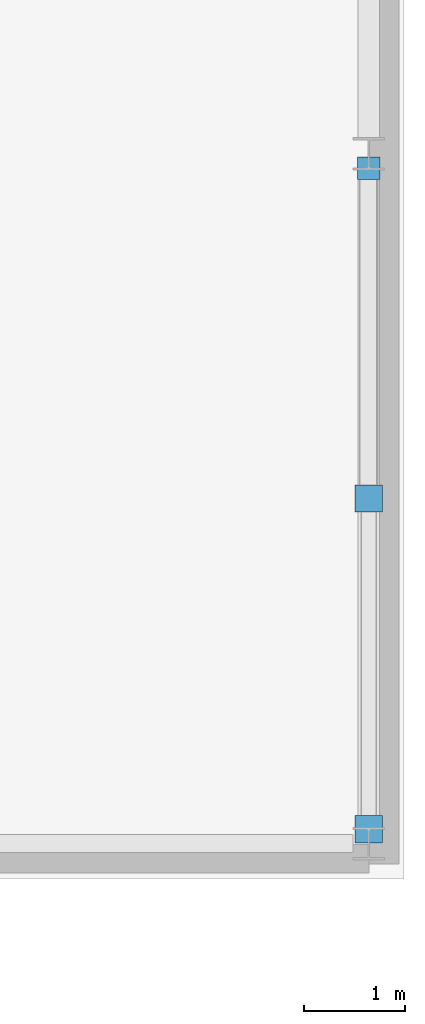
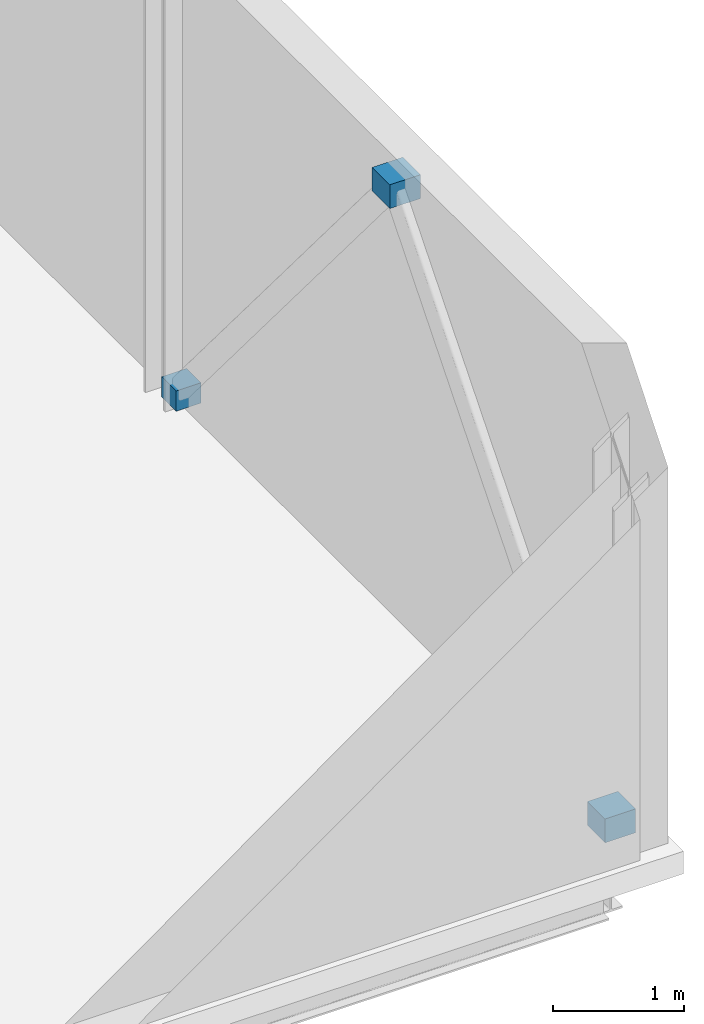
# One storey, part 61 of 77: 3 plates.
"""IFC4 building model written with IfcOpenShell, lengths in metres."""

from ifc_helpers import new_model, si_unit, direction, frame, origin, origin_2d, place, context, subcontext, project, spatial, rectangle, extrude, material, layer, layer_set, type_object, element, save


model = new_model("IFC4")

# Units and contexts
model_context = context("Model", 3, precision=1e-05, world=origin(), true_north=direction((0.0, 1.0)))
body_context = subcontext(model_context, "Body", "Model", "MODEL_VIEW")
ifc_project = project(units=[si_unit("LENGTHUNIT", "METRE"), si_unit("AREAUNIT", "SQUARE_METRE"), si_unit("VOLUMEUNIT", "CUBIC_METRE"), si_unit("PLANEANGLEUNIT", "RADIAN"), si_unit("MASSUNIT", "GRAM", prefix="KILO")], contexts=[model_context])

# Site, building, storey
site_placement = place(None, origin())
site = spatial("IfcSite", under=ifc_project, at=site_placement, CompositionType="ELEMENT")
building_placement = place(site_placement, origin())
building = spatial("IfcBuilding", under=site, at=building_placement, Name="Quillay Park Conservatory", CompositionType="ELEMENT")
storey_placement = place(building_placement, frame((0.0, 0.0, 5.39990234375)))
storey = spatial("IfcBuildingStorey", under=building, at=storey_placement, Name="L01", CompositionType="ELEMENT", Elevation=5.39990234375)

# Plates
ifc_material_1 = material(Name="Steel S355J2H", Category="steel")
ifc_layer_1 = layer(ifc_material_1, 0.02001953125)
ifc_layer_set_1 = layer_set([ifc_layer_1], Name="HOLLOW END CAP PLATE 220 X140 (Steel S355J2H)")
plate_type_1 = type_object("IfcPlateType", Name="HOLLOW END CAP PLATE 220 X140", PredefinedType="USERDEFINED", material=ifc_layer_set_1)
plate_placement = place(storey_placement, frame((163.85009765625, 92.257080078125, 0.04638671875), z_axis=(0.0, 0.0, 1.0), x_axis=(1.0, 0.0, 0.0)))
element("IfcPlate", 1, at=plate_placement, inside=storey, type_object=plate_type_1, Name="Hollow steel end cap ECP-0261", ObjectType="FLANGE PLATE", PredefinedType="USERDEFINED", context=body_context, shape_type="SweptSolid", body=[
    extrude(rectangle(XDim=0.219970703125, YDim=0.219970703125, at=origin_2d()), origin(), (0.0, 0.0, 1.0), 0.190185546875),
])
ifc_material_2 = material(Name="Steel S355J2H", Category="steel")
ifc_layer_2 = layer(ifc_material_2, 0.02197265625)
ifc_layer_set_2 = layer_set([ifc_layer_2], Name="HOLLOW END CAP PLATE 270 X170 (Steel S355J2H)")
plate_type_2 = type_object("IfcPlateType", Name="HOLLOW END CAP PLATE 270 X170", PredefinedType="USERDEFINED", material=ifc_layer_set_2)
for number, where, z_axis, x_axis, name in (
    (2, (163.85009765625, 85.69287109375, 0.03076171875), (0.0, 0.0, 1.0), (1.0, 0.0, 0.0), "Hollow steel end cap ECP-0259"),
    (3, (163.85009765625, 88.97705078125, 3.94775390625), (0.0, 0.0, 1.0), (1.0, 0.0, 0.0), "Hollow steel end cap ECP-0260"),
):
    element("IfcPlate", number, at=place(storey_placement, frame(where, z_axis=z_axis, x_axis=x_axis)), inside=storey, type_object=plate_type_2, Name=name, ObjectType="FLANGE PLATE", PredefinedType="USERDEFINED", context=body_context, shape_type="SweptSolid", body=[
        extrude(rectangle(XDim=0.27001953125, YDim=0.27001953125, at=origin_2d()), origin(), (0.0, 0.0, 1.0), 0.221923828125),
    ])

save(model, "model.ifc")
